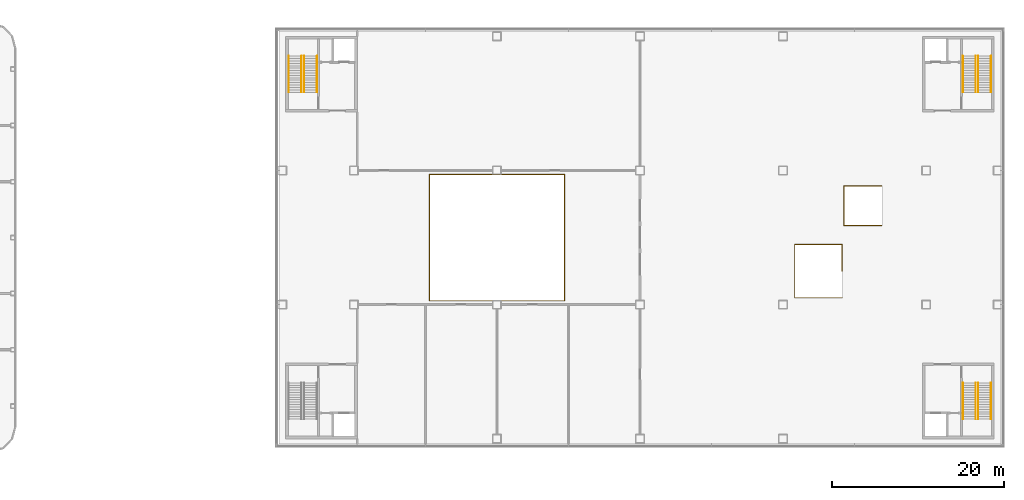
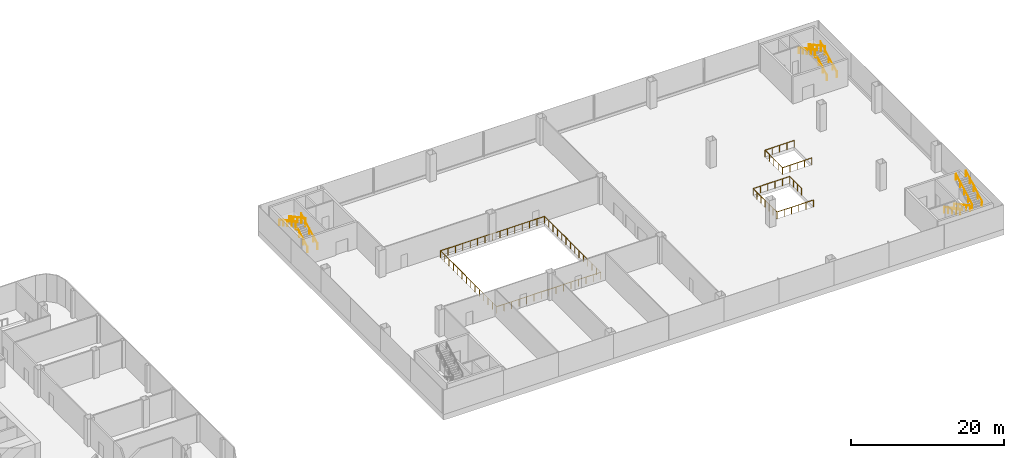
# One storey, part 53 of 53: 15 railings.
"""IFC4 building model written with IfcOpenShell, lengths in metres."""

from ifc_helpers import new_model, si_unit, direction, frame, origin, origin_2d, place, context, subcontext, project, spatial, circle, extrude, material, type_object, element, save


model = new_model("IFC4")

# Units and contexts
model_context = context("Model", 3, precision=1e-05, world=origin(), true_north=direction((0.0, 1.0)))
body_context = subcontext(model_context, "Body", "Model", "MODEL_VIEW")
ifc_project = project(units=[si_unit("LENGTHUNIT", "METRE"), si_unit("AREAUNIT", "SQUARE_METRE"), si_unit("VOLUMEUNIT", "CUBIC_METRE"), si_unit("PLANEANGLEUNIT", "RADIAN"), si_unit("MASSUNIT", "GRAM", prefix="KILO")], contexts=[model_context])

# Site, building, storey
site_placement = place(None, origin())
site = spatial("IfcSite", under=ifc_project, at=site_placement, CompositionType="ELEMENT")
building_placement = place(site_placement, origin())
building = spatial("IfcBuilding", under=site, at=building_placement, Name="Hakoniwa Tower and Hamabe Station Hall", CompositionType="ELEMENT")
storey_placement = place(building_placement, frame((0.0, 0.0, 15.0)))
storey = spatial("IfcBuildingStorey", under=building, at=storey_placement, Name="L03", CompositionType="ELEMENT", Elevation=15.0)

# Railings
ifc_material_1 = material(Name="Stainless steel and glass", Category="steel")
railing_type_1 = type_object("IfcRailingType", Name="GUARD 1100", PredefinedType="GUARDRAIL", material=ifc_material_1)
railing_1_placement = place(storey_placement, frame((103.050048828125, -7.35009765625, 0.0)))
element("IfcRailing", 1, at=railing_1_placement, inside=storey, type_object=railing_type_1, Name="Guard atrium opening L03", PredefinedType="GUARDRAIL", context=body_context, shape_type="SweptSolid", body=[
    extrude(circle(Radius=0.02392578125, at=origin_2d()), frame((0.0, 0.0, 1.076171875), z_axis=(1.0, 0.0, 0.0), x_axis=(0.0, 1.0, 0.0)), (0.0, 0.0, 1.0), 15.699951171875),
    extrude(circle(Radius=0.02392578125, at=origin_2d()), frame((15.699951171875, 0.0, 1.076171875), z_axis=(0.0, 1.0, 0.0), x_axis=(-1.0, 0.0, 0.0)), (0.0, 0.0, 1.0), 14.7001953125),
    extrude(circle(Radius=0.02392578125, at=origin_2d()), frame((15.699951171875, 14.7001953125, 1.076171875), z_axis=(-1.0, 0.0, 0.0), x_axis=(0.0, -1.0, 0.0)), (0.0, 0.0, 1.0), 15.699951171875),
    extrude(circle(Radius=0.02392578125, at=origin_2d()), frame((0.0, 14.7001953125, 1.076171875), z_axis=(0.0, -1.0, 0.0), x_axis=(1.0, 0.0, 0.0)), (0.0, 0.0, 1.0), 14.7001953125),
    extrude(circle(Radius=0.02099609375, at=origin_2d()), origin(), (0.0, 0.0, 1.0), 1.052001953125),
    extrude(circle(Radius=0.02099609375, at=origin_2d()), frame((1.121337890625, 0.0, 0.0)), (0.0, 0.0, 1.0), 1.052001953125),
    extrude(circle(Radius=0.02099609375, at=origin_2d()), frame((2.242919921875, 0.0, 0.0)), (0.0, 0.0, 1.0), 1.052001953125),
    extrude(circle(Radius=0.02099609375, at=origin_2d()), frame((3.3642578125, 0.0, 0.0)), (0.0, 0.0, 1.0), 1.052001953125),
    extrude(circle(Radius=0.02099609375, at=origin_2d()), frame((4.485595703125, 0.0, 0.0)), (0.0, 0.0, 1.0), 1.052001953125),
    extrude(circle(Radius=0.02099609375, at=origin_2d()), frame((5.607177734375, 0.0, 0.0)), (0.0, 0.0, 1.0), 1.052001953125),
    extrude(circle(Radius=0.02099609375, at=origin_2d()), frame((6.728515625, 0.0, 0.0)), (0.0, 0.0, 1.0), 1.052001953125),
    extrude(circle(Radius=0.02099609375, at=origin_2d()), frame((7.85009765625, 0.0, 0.0)), (0.0, 0.0, 1.0), 1.052001953125),
    extrude(circle(Radius=0.02099609375, at=origin_2d()), frame((8.971435546875, 0.0, 0.0)), (0.0, 0.0, 1.0), 1.052001953125),
    extrude(circle(Radius=0.02099609375, at=origin_2d()), frame((10.0927734375, 0.0, 0.0)), (0.0, 0.0, 1.0), 1.052001953125),
    extrude(circle(Radius=0.02099609375, at=origin_2d()), frame((11.21435546875, 0.0, 0.0)), (0.0, 0.0, 1.0), 1.052001953125),
    extrude(circle(Radius=0.02099609375, at=origin_2d()), frame((12.335693359375, 0.0, 0.0)), (0.0, 0.0, 1.0), 1.052001953125),
    extrude(circle(Radius=0.02099609375, at=origin_2d()), frame((13.45703125, 0.0, 0.0)), (0.0, 0.0, 1.0), 1.052001953125),
    extrude(circle(Radius=0.02099609375, at=origin_2d()), frame((14.57861328125, 0.0, 0.0)), (0.0, 0.0, 1.0), 1.052001953125),
    extrude(circle(Radius=0.02099609375, at=origin_2d()), frame((15.699951171875, 0.0, 0.0)), (0.0, 0.0, 1.0), 1.052001953125),
    extrude(circle(Radius=0.02099609375, at=origin_2d()), frame((15.699951171875, 1.130859375, 0.0)), (0.0, 0.0, 1.0), 1.052001953125),
    extrude(circle(Radius=0.02099609375, at=origin_2d()), frame((15.699951171875, 2.261474609375, 0.0)), (0.0, 0.0, 1.0), 1.052001953125),
    extrude(circle(Radius=0.02099609375, at=origin_2d()), frame((15.699951171875, 3.392333984375, 0.0)), (0.0, 0.0, 1.0), 1.052001953125),
    extrude(circle(Radius=0.02099609375, at=origin_2d()), frame((15.699951171875, 4.523193359375, 0.0)), (0.0, 0.0, 1.0), 1.052001953125),
    extrude(circle(Radius=0.02099609375, at=origin_2d()), frame((15.699951171875, 5.65380859375, 0.0)), (0.0, 0.0, 1.0), 1.052001953125),
    extrude(circle(Radius=0.02099609375, at=origin_2d()), frame((15.699951171875, 6.78466796875, 0.0)), (0.0, 0.0, 1.0), 1.052001953125),
    extrude(circle(Radius=0.02099609375, at=origin_2d()), frame((15.699951171875, 7.91552734375, 0.0)), (0.0, 0.0, 1.0), 1.052001953125),
    extrude(circle(Radius=0.02099609375, at=origin_2d()), frame((15.699951171875, 9.04638671875, 0.0)), (0.0, 0.0, 1.0), 1.052001953125),
    extrude(circle(Radius=0.02099609375, at=origin_2d()), frame((15.699951171875, 10.177001953125, 0.0)), (0.0, 0.0, 1.0), 1.052001953125),
    extrude(circle(Radius=0.02099609375, at=origin_2d()), frame((15.699951171875, 11.307861328125, 0.0)), (0.0, 0.0, 1.0), 1.052001953125),
    extrude(circle(Radius=0.02099609375, at=origin_2d()), frame((15.699951171875, 12.438720703125, 0.0)), (0.0, 0.0, 1.0), 1.052001953125),
    extrude(circle(Radius=0.02099609375, at=origin_2d()), frame((15.699951171875, 13.5693359375, 0.0)), (0.0, 0.0, 1.0), 1.052001953125),
    extrude(circle(Radius=0.02099609375, at=origin_2d()), frame((15.699951171875, 14.7001953125, 0.0)), (0.0, 0.0, 1.0), 1.052001953125),
    extrude(circle(Radius=0.02099609375, at=origin_2d()), frame((14.57861328125, 14.7001953125, 0.0)), (0.0, 0.0, 1.0), 1.052001953125),
    extrude(circle(Radius=0.02099609375, at=origin_2d()), frame((13.45703125, 14.7001953125, 0.0)), (0.0, 0.0, 1.0), 1.052001953125),
    extrude(circle(Radius=0.02099609375, at=origin_2d()), frame((12.335693359375, 14.7001953125, 0.0)), (0.0, 0.0, 1.0), 1.052001953125),
    extrude(circle(Radius=0.02099609375, at=origin_2d()), frame((11.21435546875, 14.7001953125, 0.0)), (0.0, 0.0, 1.0), 1.052001953125),
    extrude(circle(Radius=0.02099609375, at=origin_2d()), frame((10.0927734375, 14.7001953125, 0.0)), (0.0, 0.0, 1.0), 1.052001953125),
    extrude(circle(Radius=0.02099609375, at=origin_2d()), frame((8.971435546875, 14.7001953125, 0.0)), (0.0, 0.0, 1.0), 1.052001953125),
    extrude(circle(Radius=0.02099609375, at=origin_2d()), frame((7.85009765625, 14.7001953125, 0.0)), (0.0, 0.0, 1.0), 1.052001953125),
    extrude(circle(Radius=0.02099609375, at=origin_2d()), frame((6.728515625, 14.7001953125, 0.0)), (0.0, 0.0, 1.0), 1.052001953125),
    extrude(circle(Radius=0.02099609375, at=origin_2d()), frame((5.607177734375, 14.7001953125, 0.0)), (0.0, 0.0, 1.0), 1.052001953125),
    extrude(circle(Radius=0.02099609375, at=origin_2d()), frame((4.485595703125, 14.7001953125, 0.0)), (0.0, 0.0, 1.0), 1.052001953125),
    extrude(circle(Radius=0.02099609375, at=origin_2d()), frame((3.3642578125, 14.7001953125, 0.0)), (0.0, 0.0, 1.0), 1.052001953125),
    extrude(circle(Radius=0.02099609375, at=origin_2d()), frame((2.242919921875, 14.7001953125, 0.0)), (0.0, 0.0, 1.0), 1.052001953125),
    extrude(circle(Radius=0.02099609375, at=origin_2d()), frame((1.121337890625, 14.7001953125, 0.0)), (0.0, 0.0, 1.0), 1.052001953125),
    extrude(circle(Radius=0.02099609375, at=origin_2d()), frame((0.0, 14.7001953125, 0.0)), (0.0, 0.0, 1.0), 1.052001953125),
    extrude(circle(Radius=0.02099609375, at=origin_2d()), frame((0.0, 13.5693359375, 0.0)), (0.0, 0.0, 1.0), 1.052001953125),
    extrude(circle(Radius=0.02099609375, at=origin_2d()), frame((0.0, 12.438720703125, 0.0)), (0.0, 0.0, 1.0), 1.052001953125),
    extrude(circle(Radius=0.02099609375, at=origin_2d()), frame((0.0, 11.307861328125, 0.0)), (0.0, 0.0, 1.0), 1.052001953125),
    extrude(circle(Radius=0.02099609375, at=origin_2d()), frame((0.0, 10.177001953125, 0.0)), (0.0, 0.0, 1.0), 1.052001953125),
    extrude(circle(Radius=0.02099609375, at=origin_2d()), frame((0.0, 9.04638671875, 0.0)), (0.0, 0.0, 1.0), 1.052001953125),
    extrude(circle(Radius=0.02099609375, at=origin_2d()), frame((0.0, 7.91552734375, 0.0)), (0.0, 0.0, 1.0), 1.052001953125),
    extrude(circle(Radius=0.02099609375, at=origin_2d()), frame((0.0, 6.78466796875, 0.0)), (0.0, 0.0, 1.0), 1.052001953125),
    extrude(circle(Radius=0.02099609375, at=origin_2d()), frame((0.0, 5.65380859375, 0.0)), (0.0, 0.0, 1.0), 1.052001953125),
    extrude(circle(Radius=0.02099609375, at=origin_2d()), frame((0.0, 4.523193359375, 0.0)), (0.0, 0.0, 1.0), 1.052001953125),
    extrude(circle(Radius=0.02099609375, at=origin_2d()), frame((0.0, 3.392333984375, 0.0)), (0.0, 0.0, 1.0), 1.052001953125),
    extrude(circle(Radius=0.02099609375, at=origin_2d()), frame((0.0, 2.261474609375, 0.0)), (0.0, 0.0, 1.0), 1.052001953125),
    extrude(circle(Radius=0.02099609375, at=origin_2d()), frame((0.0, 1.130859375, 0.0)), (0.0, 0.0, 1.0), 1.052001953125),
])
railing_2_placement = place(storey_placement, frame((151.070068359375, -3.89990234375, 0.0)))
element("IfcRailing", 2, at=railing_2_placement, inside=storey, type_object=railing_type_1, Name="Guard PA1 opening L03", PredefinedType="GUARDRAIL", context=body_context, shape_type="SweptSolid", body=[
    extrude(circle(Radius=0.02392578125, at=origin_2d()), frame((0.0, 0.0, 1.076171875), z_axis=(-0.003229092403, 0.999994786468, 0.0), x_axis=(-0.999994786468, -0.003229092403, 0.0)), (0.0, 0.0, 1.0), 3.099853515625),
    extrude(circle(Radius=0.02392578125, at=origin_2d()), frame((-0.010009765625, 3.099853515625, 1.076171875), z_axis=(-1.0, 0.0, 0.0), x_axis=(0.0, -1.0, 0.0)), (0.0, 0.0, 1.0), 5.510009765625),
    extrude(circle(Radius=0.02392578125, at=origin_2d()), frame((-5.52001953125, 3.099853515625, 1.076171875), z_axis=(0.0, -1.0, 0.0), x_axis=(1.0, 0.0, 0.0)), (0.0, 0.0, 1.0), 6.199951171875),
    extrude(circle(Radius=0.02392578125, at=origin_2d()), frame((-5.52001953125, -3.10009765625, 1.076171875), z_axis=(1.0, 0.0, 0.0), x_axis=(0.0, 1.0, 0.0)), (0.0, 0.0, 1.0), 5.510009765625),
    extrude(circle(Radius=0.02099609375, at=origin_2d()), origin(), (0.0, 0.0, 1.0), 1.052001953125),
    extrude(circle(Radius=0.02099609375, at=origin_2d()), frame((-0.00341796875, 1.033203125, 0.0)), (0.0, 0.0, 1.0), 1.052001953125),
    extrude(circle(Radius=0.02099609375, at=origin_2d()), frame((-0.006591796875, 2.066650390625, 0.0)), (0.0, 0.0, 1.0), 1.052001953125),
    extrude(circle(Radius=0.02099609375, at=origin_2d()), frame((-0.010009765625, 3.099853515625, 0.0)), (0.0, 0.0, 1.0), 1.052001953125),
    extrude(circle(Radius=0.02099609375, at=origin_2d()), frame((-1.112060546875, 3.099853515625, 0.0)), (0.0, 0.0, 1.0), 1.052001953125),
    extrude(circle(Radius=0.02099609375, at=origin_2d()), frame((-2.214111328125, 3.099853515625, 0.0)), (0.0, 0.0, 1.0), 1.052001953125),
    extrude(circle(Radius=0.02099609375, at=origin_2d()), frame((-3.31591796875, 3.099853515625, 0.0)), (0.0, 0.0, 1.0), 1.052001953125),
    extrude(circle(Radius=0.02099609375, at=origin_2d()), frame((-4.41796875, 3.099853515625, 0.0)), (0.0, 0.0, 1.0), 1.052001953125),
    extrude(circle(Radius=0.02099609375, at=origin_2d()), frame((-5.52001953125, 3.099853515625, 0.0)), (0.0, 0.0, 1.0), 1.052001953125),
    extrude(circle(Radius=0.02099609375, at=origin_2d()), frame((-5.52001953125, 2.06640625, 0.0)), (0.0, 0.0, 1.0), 1.052001953125),
    extrude(circle(Radius=0.02099609375, at=origin_2d()), frame((-5.52001953125, 1.033203125, 0.0)), (0.0, 0.0, 1.0), 1.052001953125),
    extrude(circle(Radius=0.02099609375, at=origin_2d()), frame((-5.52001953125, 0.0, 0.0)), (0.0, 0.0, 1.0), 1.052001953125),
    extrude(circle(Radius=0.02099609375, at=origin_2d()), frame((-5.52001953125, -1.033447265625, 0.0)), (0.0, 0.0, 1.0), 1.052001953125),
    extrude(circle(Radius=0.02099609375, at=origin_2d()), frame((-5.52001953125, -2.06689453125, 0.0)), (0.0, 0.0, 1.0), 1.052001953125),
    extrude(circle(Radius=0.02099609375, at=origin_2d()), frame((-5.52001953125, -3.10009765625, 0.0)), (0.0, 0.0, 1.0), 1.052001953125),
    extrude(circle(Radius=0.02099609375, at=origin_2d()), frame((-4.41796875, -3.10009765625, 0.0)), (0.0, 0.0, 1.0), 1.052001953125),
    extrude(circle(Radius=0.02099609375, at=origin_2d()), frame((-3.31591796875, -3.10009765625, 0.0)), (0.0, 0.0, 1.0), 1.052001953125),
    extrude(circle(Radius=0.02099609375, at=origin_2d()), frame((-2.214111328125, -3.10009765625, 0.0)), (0.0, 0.0, 1.0), 1.052001953125),
    extrude(circle(Radius=0.02099609375, at=origin_2d()), frame((-1.112060546875, -3.10009765625, 0.0)), (0.0, 0.0, 1.0), 1.052001953125),
    extrude(circle(Radius=0.02099609375, at=origin_2d()), frame((-0.010009765625, -3.10009765625, 0.0)), (0.0, 0.0, 1.0), 1.052001953125),
])
railing_3_placement = place(storey_placement, frame((155.67626953125, 1.39990234375, 0.0)))
element("IfcRailing", 3, at=railing_3_placement, inside=storey, type_object=railing_type_1, Name="Guard escalator opening ESC-B L03", PredefinedType="GUARDRAIL", context=body_context, shape_type="SweptSolid", body=[
    extrude(circle(Radius=0.02392578125, at=origin_2d()), frame((0.0, 0.0, 1.076171875), z_axis=(-1.0, 0.0, 0.0), x_axis=(0.0, -1.0, 0.0)), (0.0, 0.0, 1.0), 4.416748046875),
    extrude(circle(Radius=0.02392578125, at=origin_2d()), frame((-4.416748046875, 0.0, 1.076171875), z_axis=(0.0, 1.0, 0.0), x_axis=(-1.0, 0.0, 0.0)), (0.0, 0.0, 1.0), 4.60009765625),
    extrude(circle(Radius=0.02392578125, at=origin_2d()), frame((-4.416748046875, 4.60009765625, 1.076171875), z_axis=(1.0, 0.0, 0.0), x_axis=(0.0, 1.0, 0.0)), (0.0, 0.0, 1.0), 4.416748046875),
    extrude(circle(Radius=0.02099609375, at=origin_2d()), origin(), (0.0, 0.0, 1.0), 1.052001953125),
    extrude(circle(Radius=0.02099609375, at=origin_2d()), frame((-1.104248046875, 0.0, 0.0)), (0.0, 0.0, 1.0), 1.052001953125),
    extrude(circle(Radius=0.02099609375, at=origin_2d()), frame((-2.20849609375, 0.0, 0.0)), (0.0, 0.0, 1.0), 1.052001953125),
    extrude(circle(Radius=0.02099609375, at=origin_2d()), frame((-3.3125, 0.0, 0.0)), (0.0, 0.0, 1.0), 1.052001953125),
    extrude(circle(Radius=0.02099609375, at=origin_2d()), frame((-4.416748046875, 0.0, 0.0)), (0.0, 0.0, 1.0), 1.052001953125),
    extrude(circle(Radius=0.02099609375, at=origin_2d()), frame((-4.416748046875, 1.14990234375, 0.0)), (0.0, 0.0, 1.0), 1.052001953125),
    extrude(circle(Radius=0.02099609375, at=origin_2d()), frame((-4.416748046875, 2.300048828125, 0.0)), (0.0, 0.0, 1.0), 1.052001953125),
    extrude(circle(Radius=0.02099609375, at=origin_2d()), frame((-4.416748046875, 3.4501953125, 0.0)), (0.0, 0.0, 1.0), 1.052001953125),
    extrude(circle(Radius=0.02099609375, at=origin_2d()), frame((-4.416748046875, 4.60009765625, 0.0)), (0.0, 0.0, 1.0), 1.052001953125),
    extrude(circle(Radius=0.02099609375, at=origin_2d()), frame((-3.3125, 4.60009765625, 0.0)), (0.0, 0.0, 1.0), 1.052001953125),
    extrude(circle(Radius=0.02099609375, at=origin_2d()), frame((-2.20849609375, 4.60009765625, 0.0)), (0.0, 0.0, 1.0), 1.052001953125),
    extrude(circle(Radius=0.02099609375, at=origin_2d()), frame((-1.104248046875, 4.60009765625, 0.0)), (0.0, 0.0, 1.0), 1.052001953125),
    extrude(circle(Radius=0.02099609375, at=origin_2d()), frame((0.0, 4.60009765625, 0.0)), (0.0, 0.0, 1.0), 1.052001953125),
])
ifc_material_2 = material(Name="Stainless steel SUS304", Category="steel")
railing_type_2 = type_object("IfcRailingType", Name="HANDRAIL 900", PredefinedType="HANDRAIL", material=ifc_material_2)
for number, where, name in (
    (4, (90.0, 16.89990234375, 0.14990234375), "Handrail SS1 1"),
    (5, (88.5, 16.89990234375, 0.14990234375), "Handrail SS1 2"),
):
    element("IfcRailing", number, at=place(storey_placement, frame(where)), inside=storey, type_object=railing_type_2, Name=name, PredefinedType="HANDRAIL", context=body_context, shape_type="SweptSolid", body=[
        extrude(circle(Radius=0.02392578125, at=origin_2d()), frame((0.0, 0.0, 0.8759765625), z_axis=(0.0, 0.881489110341, 0.472204350203), x_axis=(-1.0, 0.0, 0.0)), (0.0, 0.0, 1.0), 4.764892578125),
        extrude(circle(Radius=0.02099609375, at=origin_2d()), origin(), (0.0, 0.0, 1.0), 0.851806640625),
        extrude(circle(Radius=0.02099609375, at=origin_2d()), frame((0.0, 1.050048828125, 0.5625)), (0.0, 0.0, 1.0), 0.851806640625),
        extrude(circle(Radius=0.02099609375, at=origin_2d()), frame((0.0, 2.10009765625, 1.125)), (0.0, 0.0, 1.0), 0.851806640625),
        extrude(circle(Radius=0.02099609375, at=origin_2d()), frame((0.0, 3.150146484375, 1.6875)), (0.0, 0.0, 1.0), 0.851806640625),
        extrude(circle(Radius=0.02099609375, at=origin_2d()), frame((0.0, 4.2001953125, 2.25)), (0.0, 0.0, 1.0), 0.851806640625),
    ])
for number, where, name in (
    (6, (88.199951171875, 21.10009765625, 2.550048828125), "Handrail SS1 3"),
    (7, (86.699951171875, 21.10009765625, 2.550048828125), "Handrail SS1 4"),
):
    element("IfcRailing", number, at=place(storey_placement, frame(where)), inside=storey, type_object=railing_type_2, Name=name, PredefinedType="HANDRAIL", context=body_context, shape_type="SweptSolid", body=[
        extrude(circle(Radius=0.02392578125, at=origin_2d()), frame((0.0, 0.0, 0.8759765625), z_axis=(0.0, -0.881489110341, 0.472204350203), x_axis=(1.0, 0.0, 0.0)), (0.0, 0.0, 1.0), 4.764892578125),
        extrude(circle(Radius=0.02099609375, at=origin_2d()), origin(), (0.0, 0.0, 1.0), 0.851806640625),
        extrude(circle(Radius=0.02099609375, at=origin_2d()), frame((0.0, -1.050048828125, 0.5625)), (0.0, 0.0, 1.0), 0.851806640625),
        extrude(circle(Radius=0.02099609375, at=origin_2d()), frame((0.0, -2.10009765625, 1.125)), (0.0, 0.0, 1.0), 0.851806640625),
        extrude(circle(Radius=0.02099609375, at=origin_2d()), frame((0.0, -3.150146484375, 1.6875)), (0.0, 0.0, 1.0), 0.851806640625),
        extrude(circle(Radius=0.02099609375, at=origin_2d()), frame((0.0, -4.2001953125, 2.25)), (0.0, 0.0, 1.0), 0.851806640625),
    ])
for number, where, name in (
    (8, (168.39990234375, 16.89990234375, 0.14990234375), "Handrail SS2 1"),
    (9, (166.89990234375, 16.89990234375, 0.14990234375), "Handrail SS2 2"),
):
    element("IfcRailing", number, at=place(storey_placement, frame(where)), inside=storey, type_object=railing_type_2, Name=name, PredefinedType="HANDRAIL", context=body_context, shape_type="SweptSolid", body=[
        extrude(circle(Radius=0.02392578125, at=origin_2d()), frame((0.0, 0.0, 0.8759765625), z_axis=(0.0, 0.881489110341, 0.472204350203), x_axis=(-1.0, 0.0, 0.0)), (0.0, 0.0, 1.0), 4.764892578125),
        extrude(circle(Radius=0.02099609375, at=origin_2d()), origin(), (0.0, 0.0, 1.0), 0.851806640625),
        extrude(circle(Radius=0.02099609375, at=origin_2d()), frame((0.0, 1.050048828125, 0.5625)), (0.0, 0.0, 1.0), 0.851806640625),
        extrude(circle(Radius=0.02099609375, at=origin_2d()), frame((0.0, 2.10009765625, 1.125)), (0.0, 0.0, 1.0), 0.851806640625),
        extrude(circle(Radius=0.02099609375, at=origin_2d()), frame((0.0, 3.150146484375, 1.6875)), (0.0, 0.0, 1.0), 0.851806640625),
        extrude(circle(Radius=0.02099609375, at=origin_2d()), frame((0.0, 4.2001953125, 2.25)), (0.0, 0.0, 1.0), 0.851806640625),
    ])
for number, where, name in (
    (10, (166.60009765625, 21.10009765625, 2.550048828125), "Handrail SS2 3"),
    (11, (165.10009765625, 21.10009765625, 2.550048828125), "Handrail SS2 4"),
    (12, (165.10009765625, -16.89990234375, 0.14990234375), "Handrail SS4 1"),
    (13, (166.60009765625, -16.89990234375, 0.14990234375), "Handrail SS4 2"),
):
    element("IfcRailing", number, at=place(storey_placement, frame(where)), inside=storey, type_object=railing_type_2, Name=name, PredefinedType="HANDRAIL", context=body_context, shape_type="SweptSolid", body=[
        extrude(circle(Radius=0.02392578125, at=origin_2d()), frame((0.0, 0.0, 0.8759765625), z_axis=(0.0, -0.881489110341, 0.472204350203), x_axis=(1.0, 0.0, 0.0)), (0.0, 0.0, 1.0), 4.764892578125),
        extrude(circle(Radius=0.02099609375, at=origin_2d()), origin(), (0.0, 0.0, 1.0), 0.851806640625),
        extrude(circle(Radius=0.02099609375, at=origin_2d()), frame((0.0, -1.050048828125, 0.5625)), (0.0, 0.0, 1.0), 0.851806640625),
        extrude(circle(Radius=0.02099609375, at=origin_2d()), frame((0.0, -2.10009765625, 1.125)), (0.0, 0.0, 1.0), 0.851806640625),
        extrude(circle(Radius=0.02099609375, at=origin_2d()), frame((0.0, -3.150146484375, 1.6875)), (0.0, 0.0, 1.0), 0.851806640625),
        extrude(circle(Radius=0.02099609375, at=origin_2d()), frame((0.0, -4.2001953125, 2.25)), (0.0, 0.0, 1.0), 0.851806640625),
    ])
for number, where, name in (
    (14, (166.89990234375, -21.10009765625, 2.550048828125), "Handrail SS4 3"),
    (15, (168.39990234375, -21.10009765625, 2.550048828125), "Handrail SS4 4"),
):
    element("IfcRailing", number, at=place(storey_placement, frame(where)), inside=storey, type_object=railing_type_2, Name=name, PredefinedType="HANDRAIL", context=body_context, shape_type="SweptSolid", body=[
        extrude(circle(Radius=0.02392578125, at=origin_2d()), frame((0.0, 0.0, 0.8759765625), z_axis=(0.0, 0.881489110341, 0.472204350203), x_axis=(-1.0, 0.0, 0.0)), (0.0, 0.0, 1.0), 4.764892578125),
        extrude(circle(Radius=0.02099609375, at=origin_2d()), origin(), (0.0, 0.0, 1.0), 0.851806640625),
        extrude(circle(Radius=0.02099609375, at=origin_2d()), frame((0.0, 1.050048828125, 0.5625)), (0.0, 0.0, 1.0), 0.851806640625),
        extrude(circle(Radius=0.02099609375, at=origin_2d()), frame((0.0, 2.10009765625, 1.125)), (0.0, 0.0, 1.0), 0.851806640625),
        extrude(circle(Radius=0.02099609375, at=origin_2d()), frame((0.0, 3.150146484375, 1.6875)), (0.0, 0.0, 1.0), 0.851806640625),
        extrude(circle(Radius=0.02099609375, at=origin_2d()), frame((0.0, 4.2001953125, 2.25)), (0.0, 0.0, 1.0), 0.851806640625),
    ])

save(model, "model.ifc")
